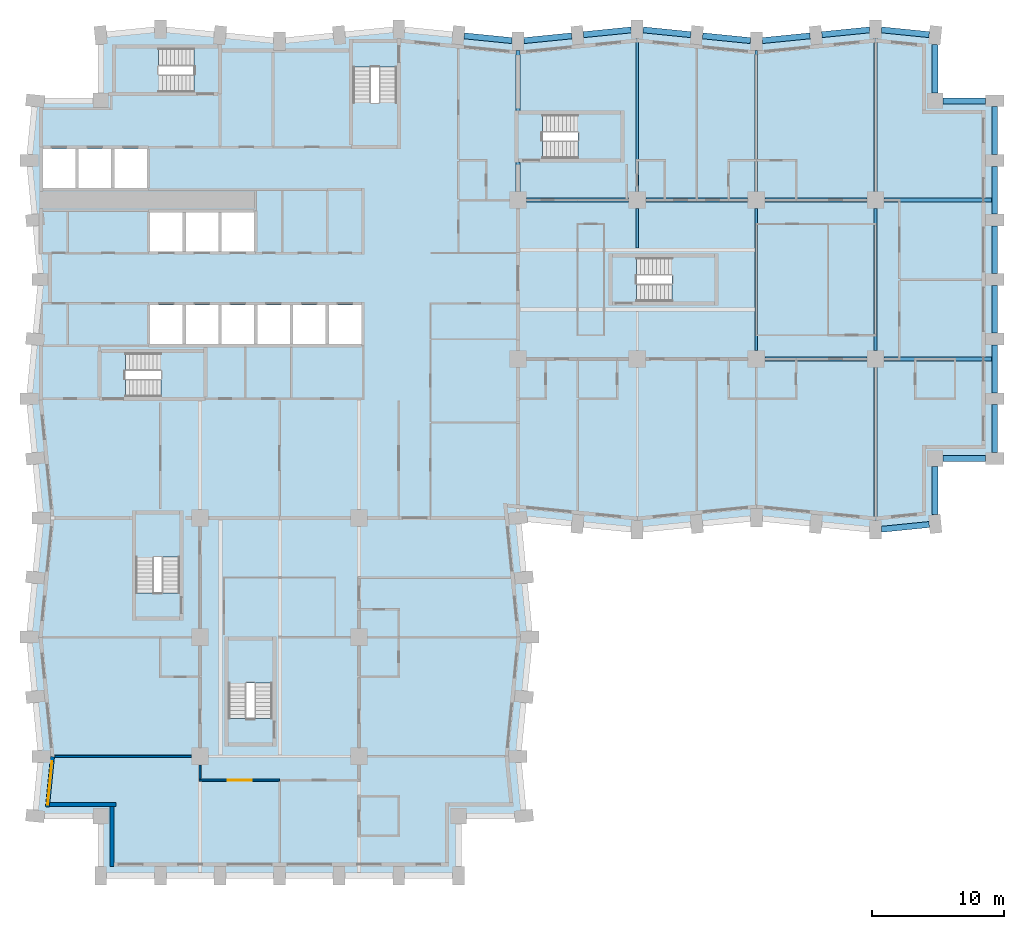
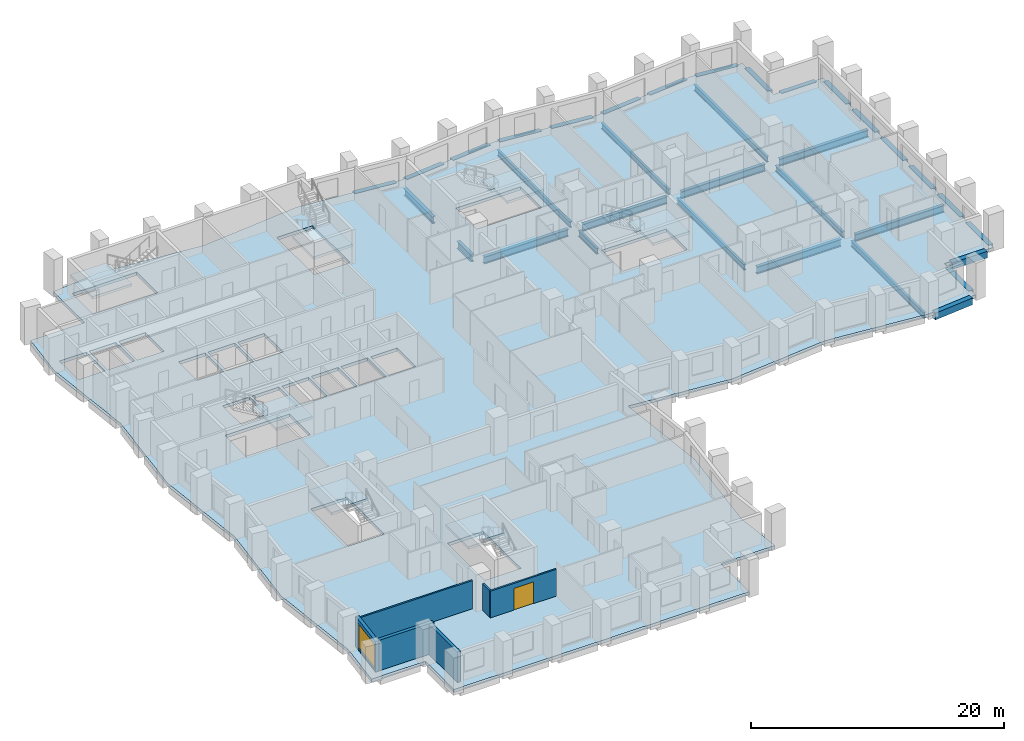
# One storey, part 2 of 12: 34 beams, 8 slabs, 6 walls, 1 door, 1 window, 2 openings, 7 elements without a shape of their own.
"""IFC4 building model written with IfcOpenShell, lengths in metres."""

from ifc_helpers import new_model, si_unit, direction, frame, frame_2d, origin, origin_2d, place, context, subcontext, project, spatial, polyline, rectangle, i_section, outline, extrude, material, layer, layer_set, material_profile, profile_set, type_object, element, fill, aggregate, save


model = new_model("IFC4")

# Units and contexts
model_context = context("Model", 3, precision=1e-05, world=origin(), true_north=direction((0.0, 1.0)))
body_context = subcontext(model_context, "Body", "Model", "MODEL_VIEW")
ifc_project = project(units=[si_unit("LENGTHUNIT", "METRE"), si_unit("AREAUNIT", "SQUARE_METRE"), si_unit("VOLUMEUNIT", "CUBIC_METRE"), si_unit("PLANEANGLEUNIT", "RADIAN"), si_unit("MASSUNIT", "GRAM", prefix="KILO")], contexts=[model_context])

# Site, building, storey
site_placement = place(None, origin())
site = spatial("IfcSite", under=ifc_project, at=site_placement, CompositionType="ELEMENT")
building_placement = place(site_placement, origin())
building = spatial("IfcBuilding", under=site, at=building_placement, Name="Brondeck Convention Tower", CompositionType="ELEMENT")
storey_placement = place(building_placement, frame((0.0, 0.0, 55.5)))
storey = spatial("IfcBuildingStorey", under=building, at=storey_placement, Name="L11", CompositionType="ELEMENT", Elevation=55.5)

# Beams
ifc_material_1 = material(Name="Steel S355", Category="steel")
ifc_material_profile_1 = material_profile(ifc_material_1, i_section(OverallWidth=0.2099609375, OverallDepth=0.550048828125, WebThickness=0.010986328125, FlangeThickness=0.01708984375, FilletRadius=0.02392578125, at=origin_2d()), Name="IPE 550")
ifc_profile_set_1 = profile_set([ifc_material_profile_1], Name="Steel S355")
beam_type_1 = type_object("IfcBeamType", Name="Floor beam IPE 550", PredefinedType="BEAM", material=ifc_profile_set_1)
beam_1_placement = place(storey_placement, frame((45.0, 51.64990234375, -0.574951171875), z_axis=(0.0, 1.0, 0.0), x_axis=(-1.0, 0.0, 0.0)))
element("IfcBeam", 1, at=beam_1_placement, inside=storey, type_object=beam_type_1, Name="STR-FB-L11-002", PredefinedType="BEAM", context=body_context, shape_type="SweptSolid", body=[
    extrude(i_section(OverallWidth=0.2099609375, OverallDepth=0.550048828125, WebThickness=0.010986328125, FlangeThickness=0.01708984375, FilletRadius=0.02392578125, at=origin_2d()), origin(), (0.0, 0.0, 1.0), 11.550048828125),
])
beam_2_placement = place(storey_placement, frame((54.0, 39.64990234375, -0.574951171875), z_axis=(0.0, 1.0, 0.0), x_axis=(-1.0, 0.0, 0.0)))
element("IfcBeam", 2, at=beam_2_placement, inside=storey, type_object=beam_type_1, Name="STR-FB-L11-004", PredefinedType="BEAM", context=body_context, shape_type="SweptSolid", body=[
    extrude(i_section(OverallWidth=0.2099609375, OverallDepth=0.550048828125, WebThickness=0.010986328125, FlangeThickness=0.01708984375, FilletRadius=0.02392578125, at=origin_2d()), origin(), (0.0, 0.0, 1.0), 10.7001953125),
])
beam_3_placement = place(storey_placement, frame((54.0, 51.64990234375, -0.574951171875), z_axis=(0.0, 1.0, 0.0), x_axis=(-1.0, 0.0, 0.0)))
element("IfcBeam", 3, at=beam_3_placement, inside=storey, type_object=beam_type_1, Name="STR-FB-L11-005", PredefinedType="BEAM", context=body_context, shape_type="SweptSolid", body=[
    extrude(i_section(OverallWidth=0.2099609375, OverallDepth=0.550048828125, WebThickness=0.010986328125, FlangeThickness=0.01708984375, FilletRadius=0.02392578125, at=origin_2d()), origin(), (0.0, 0.0, 1.0), 10.650146484375),
])
beam_4_placement = place(storey_placement, frame((63.0, 26.800048828125, -0.574951171875), z_axis=(0.0, 1.0, 0.0), x_axis=(-1.0, 0.0, 0.0)))
element("IfcBeam", 4, at=beam_4_placement, inside=storey, type_object=beam_type_1, Name="STR-FB-L11-006", PredefinedType="BEAM", context=body_context, shape_type="SweptSolid", body=[
    extrude(i_section(OverallWidth=0.2099609375, OverallDepth=0.550048828125, WebThickness=0.010986328125, FlangeThickness=0.01708984375, FilletRadius=0.02392578125, at=origin_2d()), origin(), (0.0, 0.0, 1.0), 11.550048828125),
])
beam_5_placement = place(storey_placement, frame((63.0, 39.64990234375, -0.574951171875), z_axis=(0.0, 1.0, 0.0), x_axis=(-1.0, 0.0, 0.0)))
element("IfcBeam", 5, at=beam_5_placement, inside=storey, type_object=beam_type_1, Name="STR-FB-L11-007", PredefinedType="BEAM", context=body_context, shape_type="SweptSolid", body=[
    extrude(i_section(OverallWidth=0.2099609375, OverallDepth=0.550048828125, WebThickness=0.010986328125, FlangeThickness=0.01708984375, FilletRadius=0.02392578125, at=origin_2d()), origin(), (0.0, 0.0, 1.0), 10.7001953125),
])
beam_6_placement = place(storey_placement, frame((63.0, 51.64990234375, -0.574951171875), z_axis=(0.0, 1.0, 0.0), x_axis=(-1.0, 0.0, 0.0)))
element("IfcBeam", 6, at=beam_6_placement, inside=storey, type_object=beam_type_1, Name="STR-FB-L11-008", PredefinedType="BEAM", context=body_context, shape_type="SweptSolid", body=[
    extrude(i_section(OverallWidth=0.2099609375, OverallDepth=0.550048828125, WebThickness=0.010986328125, FlangeThickness=0.01708984375, FilletRadius=0.02392578125, at=origin_2d()), origin(), (0.0, 0.0, 1.0), 11.550048828125),
])
beam_7_placement = place(storey_placement, frame((45.0, 47.39990234375, -0.574951171875), z_axis=(0.0, 1.0, 0.0), x_axis=(-1.0, 0.0, 0.0)))
element("IfcBeam", 7, at=beam_7_placement, inside=storey, type_object=beam_type_1, Name="STR-FB-L11-015", PredefinedType="BEAM", context=body_context, shape_type="SweptSolid", body=[
    extrude(i_section(OverallWidth=0.2099609375, OverallDepth=0.550048828125, WebThickness=0.010986328125, FlangeThickness=0.01708984375, FilletRadius=0.02392578125, at=origin_2d()), origin(), (0.0, 0.0, 1.0), 2.9501953125),
])
ifc_material_profile_2 = material_profile(ifc_material_1, i_section(OverallWidth=0.300048828125, OverallDepth=0.699951171875, WebThickness=0.01708984375, FlangeThickness=0.031982421875, FilletRadius=0.027099609375, at=origin_2d()), Name="HEB 700")
ifc_profile_set_2 = profile_set([ifc_material_profile_2], Name="Steel S355")
beam_type_2 = type_object("IfcBeamType", Name="Girder HEB 700", PredefinedType="BEAM", material=ifc_profile_set_2)
beam_8_placement = place(storey_placement, frame((54.64990234375, 39.0, -0.64990234375), z_axis=(1.0, 0.0, 0.0), x_axis=(0.0, 1.0, 0.0)))
element("IfcBeam", 8, at=beam_8_placement, inside=storey, type_object=beam_type_2, Name="STR-GR-L11-003", PredefinedType="BEAM", context=body_context, shape_type="SweptSolid", body=[
    extrude(i_section(OverallWidth=0.300048828125, OverallDepth=0.699951171875, WebThickness=0.01708984375, FlangeThickness=0.031982421875, FilletRadius=0.027099609375, at=origin_2d()), origin(), (0.0, 0.0, 1.0), 7.7001953125),
])
beam_9_placement = place(storey_placement, frame((63.64990234375, 39.0, -0.64990234375), z_axis=(1.0, 0.0, 0.0), x_axis=(0.0, 1.0, 0.0)))
element("IfcBeam", 9, at=beam_9_placement, inside=storey, type_object=beam_type_2, Name="STR-GR-L11-004", PredefinedType="BEAM", context=body_context, shape_type="SweptSolid", body=[
    extrude(i_section(OverallWidth=0.300048828125, OverallDepth=0.699951171875, WebThickness=0.01708984375, FlangeThickness=0.031982421875, FilletRadius=0.027099609375, at=origin_2d()), origin(), (0.0, 0.0, 1.0), 8.125),
])
for number, where, z_axis, x_axis, name in (
    (10, (36.64990234375, 51.0, -0.64990234375), (1.0, 0.0, 0.0), (0.0, 1.0, 0.0), "STR-GR-L11-005"),
    (11, (45.64990234375, 51.0, -0.64990234375), (1.0, 0.0, 0.0), (0.0, 1.0, 0.0), "STR-GR-L11-006"),
    (12, (54.64990234375, 51.0, -0.64990234375), (1.0, 0.0, 0.0), (0.0, 1.0, 0.0), "STR-GR-L11-007"),
):
    element("IfcBeam", number, at=place(storey_placement, frame(where, z_axis=z_axis, x_axis=x_axis)), inside=storey, type_object=beam_type_2, Name=name, PredefinedType="BEAM", context=body_context, shape_type="SweptSolid", body=[
        extrude(i_section(OverallWidth=0.300048828125, OverallDepth=0.699951171875, WebThickness=0.01708984375, FlangeThickness=0.031982421875, FilletRadius=0.027099609375, at=origin_2d()), origin(), (0.0, 0.0, 1.0), 7.7001953125),
    ])
beam_10_placement = place(storey_placement, frame((63.64990234375, 51.0, -0.64990234375), z_axis=(1.0, 0.0, 0.0), x_axis=(0.0, 1.0, 0.0)))
element("IfcBeam", 13, at=beam_10_placement, inside=storey, type_object=beam_type_2, Name="STR-GR-L11-008", PredefinedType="BEAM", context=body_context, shape_type="SweptSolid", body=[
    extrude(i_section(OverallWidth=0.300048828125, OverallDepth=0.699951171875, WebThickness=0.01708984375, FlangeThickness=0.031982421875, FilletRadius=0.027099609375, at=origin_2d()), origin(), (0.0, 0.0, 1.0), 8.125),
])
beam_11_placement = place(storey_placement, frame((36.0, 51.64990234375, -0.64990234375), z_axis=(0.0, 1.0, 0.0), x_axis=(-1.0, 0.0, 0.0)))
element("IfcBeam", 14, at=beam_11_placement, inside=storey, type_object=beam_type_2, Name="STR-GR-L11-011", PredefinedType="BEAM", context=body_context, shape_type="SweptSolid", body=[
    extrude(i_section(OverallWidth=0.300048828125, OverallDepth=0.699951171875, WebThickness=0.01708984375, FlangeThickness=0.031982421875, FilletRadius=0.027099609375, at=origin_2d()), origin(), (0.0, 0.0, 1.0), 2.22998046875),
])
beam_12_placement = place(storey_placement, frame((36.0, 57.719970703125, -0.64990234375), z_axis=(0.0, 1.0, 0.0), x_axis=(-1.0, 0.0, 0.0)))
element("IfcBeam", 15, at=beam_12_placement, inside=storey, type_object=beam_type_2, Name="STR-GR-L11-012", PredefinedType="BEAM", context=body_context, shape_type="SweptSolid", body=[
    extrude(i_section(OverallWidth=0.300048828125, OverallDepth=0.699951171875, WebThickness=0.01708984375, FlangeThickness=0.031982421875, FilletRadius=0.027099609375, at=origin_2d()), origin(), (0.0, 0.0, 1.0), 4.580078125),
])
ifc_material_2 = material(Name="Concrete C80/95", Category="concrete")
ifc_material_profile_3 = material_profile(ifc_material_2, rectangle(XDim=0.449951171875, YDim=0.64990234375, at=origin_2d()), Name="Precast spandrel 450x650 Concrete C80/95")
ifc_profile_set_3 = profile_set([ifc_material_profile_3], Name="Concrete C80/95")
beam_type_3 = type_object("IfcBeamType", Name="Precast spandrel 450x650 Concrete C80/95", PredefinedType="SPANDREL", material=ifc_profile_set_3)
beam_13_placement = place(storey_placement, frame((63.449951171875, 26.14501953125, -0.324951171875), z_axis=(0.995040528141, 0.099470334057, 0.0), x_axis=(-0.099470334057, 0.995040528141, 0.0)))
element("IfcBeam", 16, at=beam_13_placement, inside=storey, type_object=beam_type_3, Name="STR-SP-L11-020", PredefinedType="SPANDREL", context=body_context, shape_type="SweptSolid", body=[
    extrude(rectangle(XDim=0.449951171875, YDim=0.64990234375, at=origin_2d()), origin(), (0.0, 0.0, 1.0), 3.620361328125),
])
beam_14_placement = place(storey_placement, frame((67.5, 27.25341796875, -0.324951171875), z_axis=(0.0, 1.0, 0.0), x_axis=(-1.0, 0.0, 0.0)))
element("IfcBeam", 17, at=beam_14_placement, inside=storey, type_object=beam_type_3, Name="STR-SP-L11-021", PredefinedType="SPANDREL", context=body_context, shape_type="SweptSolid", body=[
    extrude(rectangle(XDim=0.449951171875, YDim=0.64990234375, at=origin_2d()), origin(), (0.0, 0.0, 1.0), 3.646484375),
])
beam_15_placement = place(storey_placement, frame((68.10009765625, 31.5, -0.324951171875), z_axis=(1.0, 0.0, 0.0), x_axis=(0.0, 1.0, 0.0)))
element("IfcBeam", 18, at=beam_15_placement, inside=storey, type_object=beam_type_3, Name="STR-SP-L11-022", PredefinedType="SPANDREL", context=body_context, shape_type="SweptSolid", body=[
    extrude(rectangle(XDim=0.449951171875, YDim=0.64990234375, at=origin_2d()), origin(), (0.0, 0.0, 1.0), 3.199951171875),
])
for number, where, z_axis, x_axis, name in (
    (19, (72.0, 31.949951171875, -0.324951171875), (0.0, 1.0, 0.0), (-1.0, 0.0, 0.0), "STR-SP-L11-023"),
    (20, (72.0, 36.449951171875, -0.324951171875), (0.0, 1.0, 0.0), (-1.0, 0.0, 0.0), "STR-SP-L11-024"),
    (21, (72.0, 40.949951171875, -0.324951171875), (0.0, 1.0, 0.0), (-1.0, 0.0, 0.0), "STR-SP-L11-025"),
    (22, (72.0, 45.449951171875, -0.324951171875), (0.0, 1.0, 0.0), (-1.0, 0.0, 0.0), "STR-SP-L11-026"),
    (23, (72.0, 49.949951171875, -0.324951171875), (0.0, 1.0, 0.0), (-1.0, 0.0, 0.0), "STR-SP-L11-027"),
    (24, (72.0, 54.449951171875, -0.324951171875), (0.0, 1.0, 0.0), (-1.0, 0.0, 0.0), "STR-SP-L11-028"),
):
    element("IfcBeam", number, at=place(storey_placement, frame(where, z_axis=z_axis, x_axis=x_axis)), inside=storey, type_object=beam_type_3, Name=name, PredefinedType="SPANDREL", context=body_context, shape_type="SweptSolid", body=[
        extrude(rectangle(XDim=0.449951171875, YDim=0.64990234375, at=origin_2d()), origin(), (0.0, 0.0, 1.0), 3.60009765625),
    ])
beam_16_placement = place(storey_placement, frame((71.300048828125, 58.5, -0.324951171875), z_axis=(-1.0, 0.0, 0.0), x_axis=(0.0, -1.0, 0.0)))
element("IfcBeam", 25, at=beam_16_placement, inside=storey, type_object=beam_type_3, Name="STR-SP-L11-029", PredefinedType="SPANDREL", context=body_context, shape_type="SweptSolid", body=[
    extrude(rectangle(XDim=0.449951171875, YDim=0.64990234375, at=origin_2d()), origin(), (0.0, 0.0, 1.0), 3.199951171875),
])
beam_17_placement = place(storey_placement, frame((67.5, 59.10009765625, -0.324951171875), z_axis=(0.0, 1.0, 0.0), x_axis=(-1.0, 0.0, 0.0)))
element("IfcBeam", 26, at=beam_17_placement, inside=storey, type_object=beam_type_3, Name="STR-SP-L11-030", PredefinedType="SPANDREL", context=body_context, shape_type="SweptSolid", body=[
    extrude(rectangle(XDim=0.449951171875, YDim=0.64990234375, at=origin_2d()), origin(), (0.0, 0.0, 1.0), 3.646484375),
])
for number, where, z_axis, x_axis, name in (
    (27, (67.05224609375, 63.494873046875, -0.324951171875), (-0.995040528141, 0.099470334057, 0.0), (-0.099470334057, -0.995040528141, 0.0), "STR-SP-L11-031"),
    (28, (62.550048828125, 63.85498046875, -0.324951171875), (-0.995040528141, -0.099470334057, 0.0), (0.099470334057, -0.995040528141, 0.0), "STR-SP-L11-032"),
    (29, (58.05224609375, 63.4052734375, -0.324951171875), (-0.995033851182, -0.099537103649, 0.0), (0.099537103649, -0.995033851182, 0.0), "STR-SP-L11-033"),
    (30, (53.550048828125, 63.044921875, -0.324951171875), (-0.995033851182, 0.099537103649, 0.0), (-0.099537103649, -0.995033851182, 0.0), "STR-SP-L11-034"),
    (31, (49.05224609375, 63.494873046875, -0.324951171875), (-0.995040528141, 0.099470334057, 0.0), (-0.099470334057, -0.995040528141, 0.0), "STR-SP-L11-035"),
    (32, (44.550048828125, 63.85498046875, -0.324951171875), (-0.995040528141, -0.099470334057, 0.0), (0.099470334057, -0.995040528141, 0.0), "STR-SP-L11-036"),
    (33, (40.05224609375, 63.4052734375, -0.324951171875), (-0.995033851182, -0.099537103649, 0.0), (0.099537103649, -0.995033851182, 0.0), "STR-SP-L11-037"),
    (34, (35.550048828125, 63.044921875, -0.324951171875), (-0.995033851182, 0.099537103649, 0.0), (-0.099537103649, -0.995033851182, 0.0), "STR-SP-L11-038"),
):
    element("IfcBeam", number, at=place(storey_placement, frame(where, z_axis=z_axis, x_axis=x_axis)), inside=storey, type_object=beam_type_3, Name=name, PredefinedType="SPANDREL", context=body_context, shape_type="SweptSolid", body=[
        extrude(rectangle(XDim=0.449951171875, YDim=0.64990234375, at=origin_2d()), origin(), (0.0, 0.0, 1.0), 3.620361328125),
    ])

# Slab
ifc_material_3 = material(Name="Concrete C35/45", Category="concrete")
ifc_layer_1 = layer(ifc_material_3, 0.300048828125)
ifc_layer_set_1 = layer_set([ifc_layer_1], Name="Composite floor slab 300")
slab_type_1 = type_object("IfcSlabType", Name="Composite floor slab 300", PredefinedType="FLOOR", material=ifc_layer_set_1)
slab_1_placement = place(storey_placement, frame((0.0, 0.0, -0.300048828125)))
element("IfcSlab", 35, at=slab_1_placement, inside=storey, type_object=slab_type_1, Name="STR-SL-L11", PredefinedType="FLOOR", context=body_context, shape_type="SweptSolid", body=[
    extrude(outline(polyline([(4.5, 4.5), (-0.449951171875, 4.5), (0.0, 9.0), (-0.89990234375, 18.0), (0.0, 27.0), (-0.89990234375, 36.0), (0.0, 45.0), (-0.89990234375, 54.0), (-0.449951171875, 58.5), (4.5, 58.5), (4.5, 63.449951171875), (9.0, 63.89990234375), (18.0, 63.0), (27.0, 63.89990234375), (36.0, 63.0), (45.0, 63.89990234375), (54.0, 63.0), (63.0, 63.89990234375), (67.5, 63.449951171875), (67.5, 58.5), (72.0, 58.5), (72.0, 31.5), (67.5, 31.5), (67.5, 26.550048828125), (63.0, 26.10009765625), (54.0, 27.0), (45.0, 26.10009765625), (36.0, 27.0), (36.89990234375, 18.0), (36.0, 9.0), (36.449951171875, 4.5), (31.5, 4.5), (31.5, 0.0), (4.5, 0.0), (4.5, 4.5)]), holes=[polyline([(10.447998046875, 27.248046875), (7.152099609375, 27.248046875), (7.152099609375, 21.35205078125), (10.447998046875, 21.35205078125), (10.447998046875, 27.248046875)]), polyline([(12.248046875, 36.152099609375), (12.248046875, 39.447998046875), (6.35205078125, 39.447998046875), (6.35205078125, 36.152099609375), (12.248046875, 36.152099609375)]), polyline([(10.675048828125, 40.125), (10.675048828125, 43.074951171875), (8.22509765625, 43.074951171875), (8.22509765625, 40.125), (10.675048828125, 40.125)]), polyline([(13.375, 40.125), (13.375, 43.074951171875), (10.925048828125, 43.074951171875), (10.925048828125, 40.125), (13.375, 40.125)]), polyline([(10.675048828125, 47.125), (10.675048828125, 50.074951171875), (8.22509765625, 50.074951171875), (8.22509765625, 47.125), (10.675048828125, 47.125)]), polyline([(13.375, 47.125), (13.375, 50.074951171875), (10.925048828125, 50.074951171875), (10.925048828125, 47.125), (13.375, 47.125)]), polyline([(2.574951171875, 51.925048828125), (2.574951171875, 54.875), (0.125, 54.875), (0.125, 51.925048828125), (2.574951171875, 51.925048828125)]), polyline([(2.824951171875, 51.925048828125), (5.27490234375, 51.925048828125), (5.27490234375, 54.875), (2.824951171875, 54.875), (2.824951171875, 51.925048828125)]), polyline([(5.52490234375, 51.925048828125), (7.97509765625, 51.925048828125), (7.97509765625, 54.875), (5.52490234375, 54.875), (5.52490234375, 51.925048828125)]), polyline([(5.652099609375, 62.447998046875), (5.652099609375, 59.152099609375), (11.548095703125, 59.152099609375), (11.548095703125, 62.447998046875), (5.652099609375, 62.447998046875)]), polyline([(17.447998046875, 17.748046875), (14.152099609375, 17.748046875), (14.152099609375, 11.85205078125), (17.447998046875, 11.85205078125), (17.447998046875, 17.748046875)]), polyline([(16.074951171875, 40.125), (16.074951171875, 43.074951171875), (13.625, 43.074951171875), (13.625, 40.125), (16.074951171875, 40.125)]), polyline([(16.324951171875, 40.125), (18.77490234375, 40.125), (18.77490234375, 43.074951171875), (16.324951171875, 43.074951171875), (16.324951171875, 40.125)]), polyline([(19.02490234375, 40.125), (21.47509765625, 40.125), (21.47509765625, 43.074951171875), (19.02490234375, 43.074951171875), (19.02490234375, 40.125)]), polyline([(24.175048828125, 40.125), (24.175048828125, 43.074951171875), (21.72509765625, 43.074951171875), (21.72509765625, 40.125), (24.175048828125, 40.125)]), polyline([(50.847900390625, 43.35205078125), (50.847900390625, 46.64794921875), (44.951904296875, 46.64794921875), (44.951904296875, 43.35205078125), (50.847900390625, 43.35205078125)]), polyline([(16.074951171875, 47.125), (16.074951171875, 50.074951171875), (13.625, 50.074951171875), (13.625, 47.125), (16.074951171875, 47.125)]), polyline([(37.85205078125, 54.152099609375), (43.748046875, 54.152099609375), (43.748046875, 57.447998046875), (37.85205078125, 57.447998046875), (37.85205078125, 54.152099609375)]), polyline([(23.552001953125, 61.048095703125), (23.552001953125, 55.152099609375), (26.847900390625, 55.152099609375), (26.847900390625, 61.048095703125), (23.552001953125, 61.048095703125)])]), origin(), (0.0, 0.0, 1.0), 0.300048828125),
])

# Stair, slab
ifc_material_4 = material(Name="Precast concrete C50/60", Category="concrete")
stair_type = type_object("IfcStairType", Name="Core stair 20 risers 180.00 mm riser 300 mm going 1350 wide", PredefinedType="HALF_TURN_STAIR", material=ifc_material_4)
stair_1_placement = place(storey_placement, origin())
stair_1 = element("IfcStair", 36, at=stair_1_placement, inside=storey, type_object=stair_type, Name="ST-1 L11 stair", PredefinedType="HALF_TURN_STAIR")
ifc_layer_2 = layer(ifc_material_4, 0.25)
ifc_layer_set_2 = layer_set([ifc_layer_2], Name="Core stair landing 250 Precast concrete C50/60")
slab_type_2 = type_object("IfcSlabType", Name="Core stair landing 250 Precast concrete C50/60", PredefinedType="LANDING", material=ifc_layer_set_2)
slab_2_placement = place(storey_placement, frame((0.0, 0.0, 1.550048828125)))
slab_2 = element("IfcSlab", 37, at=slab_2_placement, type_object=slab_type_2, Name="ST-1 landing 1", PredefinedType="LANDING", context=body_context, shape_type="SweptSolid", body=[
    extrude(outline(polyline([(9.048095703125, 37.5), (9.050048828125, 37.5), (9.050048828125, 38.10009765625), (8.75, 38.10009765625), (8.75, 39.570068359375), (12.3701171875, 39.570068359375), (12.3701171875, 36.030029296875), (9.048095703125, 36.030029296875), (9.048095703125, 37.5)])), origin(), (0.0, 0.0, 1.0), 0.25),
])
aggregate(stair_1, [slab_2])

stair_2_placement = place(storey_placement, origin())
stair_2 = element("IfcStair", 38, at=stair_2_placement, inside=storey, type_object=stair_type, Name="ST-2 L11 stair", PredefinedType="HALF_TURN_STAIR")
slab_3_placement = place(storey_placement, frame((0.0, 0.0, 1.550048828125)))
slab_3 = element("IfcSlab", 39, at=slab_3_placement, type_object=slab_type_2, Name="ST-2 landing 1", PredefinedType="LANDING", context=body_context, shape_type="SweptSolid", body=[
    extrude(outline(polyline([(23.429931640625, 58.35205078125), (24.89990234375, 58.35205078125), (24.89990234375, 58.35009765625), (25.5, 58.35009765625), (25.5, 58.64990234375), (26.969970703125, 58.64990234375), (26.969970703125, 55.030029296875), (23.429931640625, 55.030029296875), (23.429931640625, 58.35205078125)])), origin(), (0.0, 0.0, 1.0), 0.25),
])
aggregate(stair_2, [slab_3])

stair_3_placement = place(storey_placement, origin())
stair_3 = element("IfcStair", 40, at=stair_3_placement, inside=storey, type_object=stair_type, Name="ST-3 L11 stair", PredefinedType="HALF_TURN_STAIR")
slab_4_placement = place(storey_placement, frame((0.0, 0.0, 1.550048828125)))
slab_4 = element("IfcSlab", 41, at=slab_4_placement, type_object=slab_type_2, Name="ST-3 landing 1", PredefinedType="LANDING", context=body_context, shape_type="SweptSolid", body=[
    extrude(outline(polyline([(9.14990234375, 60.5), (9.14990234375, 59.030029296875), (5.530029296875, 59.030029296875), (5.530029296875, 62.570068359375), (8.85205078125, 62.570068359375), (8.85205078125, 61.10009765625), (8.85009765625, 61.10009765625), (8.85009765625, 60.5), (9.14990234375, 60.5)])), origin(), (0.0, 0.0, 1.0), 0.25),
])
aggregate(stair_3, [slab_4])

stair_4_placement = place(storey_placement, origin())
stair_4 = element("IfcStair", 42, at=stair_4_placement, inside=storey, type_object=stair_type, Name="ST-AE L11 stair", PredefinedType="HALF_TURN_STAIR")
slab_5_placement = place(storey_placement, frame((0.0, 0.0, 1.550048828125)))
slab_5 = element("IfcSlab", 43, at=slab_5_placement, type_object=slab_type_2, Name="ST-AE landing 1", PredefinedType="LANDING", context=body_context, shape_type="SweptSolid", body=[
    extrude(outline(polyline([(40.548095703125, 55.5), (40.550048828125, 55.5), (40.550048828125, 56.10009765625), (40.25, 56.10009765625), (40.25, 57.570068359375), (43.8701171875, 57.570068359375), (43.8701171875, 54.030029296875), (40.548095703125, 54.030029296875), (40.548095703125, 55.5)])), origin(), (0.0, 0.0, 1.0), 0.25),
])
aggregate(stair_4, [slab_5])

stair_5_placement = place(storey_placement, origin())
stair_5 = element("IfcStair", 44, at=stair_5_placement, inside=storey, type_object=stair_type, Name="ST-BE L11 stair", PredefinedType="HALF_TURN_STAIR")
slab_6_placement = place(storey_placement, frame((0.0, 0.0, 1.550048828125)))
slab_6 = element("IfcSlab", 45, at=slab_6_placement, type_object=slab_type_2, Name="ST-BE landing 1", PredefinedType="LANDING", context=body_context, shape_type="SweptSolid", body=[
    extrude(outline(polyline([(7.030029296875, 23.75), (7.030029296875, 27.3701171875), (10.570068359375, 27.3701171875), (10.570068359375, 24.048095703125), (9.10009765625, 24.048095703125), (9.10009765625, 24.050048828125), (8.5, 24.050048828125), (8.5, 23.75), (7.030029296875, 23.75)])), origin(), (0.0, 0.0, 1.0), 0.25),
])
aggregate(stair_5, [slab_6])

stair_6_placement = place(storey_placement, origin())
stair_6 = element("IfcStair", 46, at=stair_6_placement, inside=storey, type_object=stair_type, Name="ST-AF L11 stair", PredefinedType="HALF_TURN_STAIR")
slab_7_placement = place(storey_placement, frame((0.0, 0.0, 1.550048828125)))
slab_7 = element("IfcSlab", 47, at=slab_7_placement, type_object=slab_type_2, Name="ST-AF landing 1", PredefinedType="LANDING", context=body_context, shape_type="SweptSolid", body=[
    extrude(outline(polyline([(47.64794921875, 44.699951171875), (47.64990234375, 44.699951171875), (47.64990234375, 45.300048828125), (47.35009765625, 45.300048828125), (47.35009765625, 46.77001953125), (50.969970703125, 46.77001953125), (50.969970703125, 43.22998046875), (47.64794921875, 43.22998046875), (47.64794921875, 44.699951171875)])), origin(), (0.0, 0.0, 1.0), 0.25),
])
aggregate(stair_6, [slab_7])

stair_7_placement = place(storey_placement, origin())
stair_7 = element("IfcStair", 48, at=stair_7_placement, inside=storey, type_object=stair_type, Name="ST-BF L11 stair", PredefinedType="HALF_TURN_STAIR")
slab_8_placement = place(storey_placement, frame((0.0, 0.0, 1.550048828125)))
slab_8 = element("IfcSlab", 49, at=slab_8_placement, type_object=slab_type_2, Name="ST-BF landing 1", PredefinedType="LANDING", context=body_context, shape_type="SweptSolid", body=[
    extrude(outline(polyline([(14.030029296875, 14.25), (14.030029296875, 17.8701171875), (17.570068359375, 17.8701171875), (17.570068359375, 14.548095703125), (16.10009765625, 14.548095703125), (16.10009765625, 14.550048828125), (15.5, 14.550048828125), (15.5, 14.25), (14.030029296875, 14.25)])), origin(), (0.0, 0.0, 1.0), 0.25),
])
aggregate(stair_7, [slab_8])

# Wall, opening, window
ifc_material_5 = material(Name="Precast concrete C50/60 bronze finish", Category="concrete")
ifc_layer_3 = layer(ifc_material_5, 0.070068359375, Name="Bronze precast facing")
ifc_material_6 = material(Name="Mineral wool")
ifc_layer_4 = layer(ifc_material_6, 0.159912109375, Name="Insulation")
ifc_layer_5 = layer(ifc_material_3, 0.070068359375, Name="Backing")
ifc_layer_set_3 = layer_set([ifc_layer_3, ifc_layer_4, ifc_layer_5], Name="External infill wall, precast concrete C50/60 bronze facing")
wall_type_1 = type_object("IfcWallType", Name="External infill wall, precast concrete C50/60 bronze facing", PredefinedType="SOLIDWALL", material=ifc_layer_set_3)
wall_1_placement = place(storey_placement, frame((0.47265625, 5.18505859375, 0.0), z_axis=(0.0, 0.0, 1.0), x_axis=(0.099541845169, 0.995033376857, 0.0)))
wall_1 = element("IfcWall", 50, at=wall_1_placement, inside=storey, type_object=wall_type_1, Name="ENV-EW-L11-P0-B-W-12", PredefinedType="SOLIDWALL", context=body_context, shape_type="SweptSolid", body=[
    extrude(rectangle(XDim=3.803955078125, YDim=0.300048828125, at=frame_2d((1.90185546875, 0.0))), origin(), (0.0, 0.0, 1.0), 2.949951171875),
])
opening_1_placement = place(wall_1_placement, frame((0.14990234375, 0.0, 0.14990234375)))
opening_1 = element("IfcOpeningElement", 51, at=opening_1_placement, cuts=wall_1, Name="Opening W9", PredefinedType="OPENING", context=body_context, shape_type="SweptSolid", body=[
    extrude(rectangle(XDim=3.300048828125, YDim=2.39990234375, at=frame_2d((1.64990234375, 1.199951171875))), frame((0.0, 0.159912109375, 0.0), z_axis=(0.0, -1.0, 0.0), x_axis=(1.0, 0.0, 0.0)), (0.0, 0.0, 1.0), 0.320068359375),
])
ifc_material_7 = material(Name="Bronze tinted double glazing", Category="glass")
window_type = type_object("IfcWindowType", Name="Glazed flute window, bronze tinted", PartitioningType="SINGLE_PANEL", PredefinedType="WINDOW", material=ifc_material_7)
window_placement = place(opening_1_placement, origin())
window = element("IfcWindow", 52, at=window_placement, inside=storey, type_object=window_type, Name="ENV-WN-L11-P0-B-W-12", OverallHeight=2.39990234375, OverallWidth=3.300048828125, PartitioningType="SINGLE_PANEL", PredefinedType="WINDOW", context=body_context, shape_type="SweptSolid", body=[
    extrude(rectangle(XDim=3.300048828125, YDim=2.39990234375, at=frame_2d((1.64990234375, 1.199951171875))), frame((0.0, 0.030029296875, 0.0), z_axis=(0.0, -1.0, 0.0), x_axis=(1.0, 0.0, 0.0)), (0.0, 0.0, 1.0), 0.06005859375),
])
fill(opening_1, window)

# Walls
wall_2_placement = place(storey_placement, frame((5.64990234375, 5.35009765625, 0.0), z_axis=(0.0, 0.0, 1.0), x_axis=(-1.0, 0.0, 0.0)))
element("IfcWall", 53, at=wall_2_placement, inside=storey, type_object=wall_type_1, Name="ENV-EW-L11-P0-NC-SWB0-01", PredefinedType="SOLIDWALL", context=body_context, shape_type="SweptSolid", body=[
    extrude(rectangle(XDim=5.004638671875, YDim=0.300048828125, at=frame_2d((2.50244140625, 0.0))), origin(), (0.0, 0.0, 1.0), 2.949951171875),
])
wall_3_placement = place(storey_placement, frame((5.35009765625, 0.699951171875, 0.0), z_axis=(0.0, 0.0, 1.0), x_axis=(0.0, 1.0, 0.0)))
element("IfcWall", 54, at=wall_3_placement, inside=storey, type_object=wall_type_1, Name="ENV-EW-L11-P0-NC-SWB0-02", PredefinedType="SOLIDWALL", context=body_context, shape_type="SweptSolid", body=[
    extrude(rectangle(XDim=4.5, YDim=0.300048828125, at=frame_2d((2.25, 0.0))), origin(), (0.0, 0.0, 1.0), 2.949951171875),
])

# Wall, opening, door
ifc_material_8 = material(Name="Double gypsum board acoustic wall")
ifc_layer_6 = layer(ifc_material_8, 0.14990234375)
ifc_layer_set_4 = layer_set([ifc_layer_6], Name="Guest room party wall 150")
wall_type_2 = type_object("IfcWallType", Name="Guest room party wall 150", PredefinedType="PARTITIONING", material=ifc_layer_set_4)
wall_4_placement = place(storey_placement, frame((18.0, 7.199951171875, 0.0), z_axis=(0.0, 0.0, 1.0), x_axis=(-1.0, 0.0, 0.0)))
wall_4 = element("IfcWall", 55, at=wall_4_placement, inside=storey, type_object=wall_type_2, Name="FLR-L11-W006", PredefinedType="PARTITIONING", context=body_context, shape_type="SweptSolid", body=[
    extrude(rectangle(XDim=6.074951171875, YDim=0.14990234375, at=frame_2d((3.03759765625, 0.0))), origin(), (0.0, 0.0, 1.0), 2.580078125),
])
opening_2_placement = place(wall_4_placement, frame((2.10009765625, 0.0, 0.0)))
opening_2 = element("IfcOpeningElement", 56, at=opening_2_placement, cuts=wall_4, Name="Opening H2-030", PredefinedType="OPENING", context=body_context, shape_type="SweptSolid", body=[
    extrude(rectangle(XDim=1.800048828125, YDim=2.10009765625, at=frame_2d((0.89990234375, 1.050048828125))), frame((0.0, 0.0849609375, 0.0), z_axis=(0.0, -1.0, 0.0), x_axis=(1.0, 0.0, 0.0)), (0.0, 0.0, 1.0), 0.169921875),
])
ifc_material_9 = material(Name="Glazed timber double door", Category="wood")
door_type = type_object("IfcDoorType", Name="Double door 1800", OperationType="DOUBLE_DOOR_SINGLE_SWING", PredefinedType="DOOR", material=ifc_material_9)
door_placement = place(opening_2_placement, origin())
door = element("IfcDoor", 57, at=door_placement, inside=storey, type_object=door_type, Name="Door H2-030", OperationType="DOUBLE_DOOR_SINGLE_SWING", OverallHeight=2.10009765625, OverallWidth=1.800048828125, PredefinedType="DOOR", context=body_context, shape_type="SweptSolid", body=[
    extrude(rectangle(XDim=1.800048828125, YDim=2.10009765625, at=frame_2d((0.89990234375, 1.050048828125))), frame((0.0, 0.02490234375, 0.0), z_axis=(0.0, -1.0, 0.0), x_axis=(1.0, 0.0, 0.0)), (0.0, 0.0, 1.0), 0.050048828125),
])
fill(opening_2, door)

# Walls
wall_5_placement = place(storey_placement, frame((12.0, 7.27490234375, 0.0), z_axis=(0.0, 0.0, 1.0), x_axis=(0.0, 1.0, 0.0)))
element("IfcWall", 58, at=wall_5_placement, inside=storey, type_object=wall_type_2, Name="FLR-L11-W008", PredefinedType="PARTITIONING", context=body_context, shape_type="SweptSolid", body=[
    extrude(rectangle(XDim=1.070068359375, YDim=0.14990234375, at=frame_2d((0.53515625, 0.0))), origin(), (0.0, 0.0, 1.0), 2.580078125),
])
wall_6_placement = place(storey_placement, frame((11.344970703125, 9.0, 0.0), z_axis=(0.0, 0.0, 1.0), x_axis=(-1.0, 0.0, 0.0)))
element("IfcWall", 59, at=wall_6_placement, inside=storey, type_object=wall_type_2, Name="FLR-L11-W010", PredefinedType="PARTITIONING", context=body_context, shape_type="SweptSolid", body=[
    extrude(rectangle(XDim=10.320068359375, YDim=0.14990234375, at=frame_2d((5.16015625, 0.0))), origin(), (0.0, 0.0, 1.0), 2.72998046875),
])

save(model, "model.ifc")
